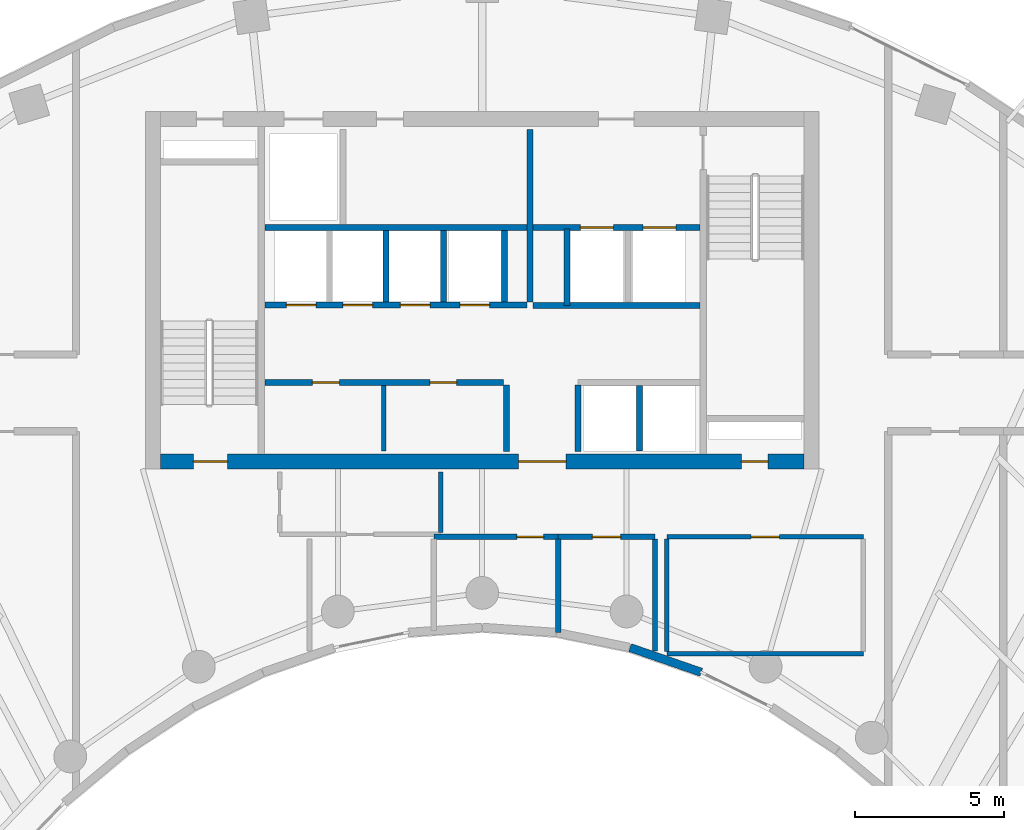
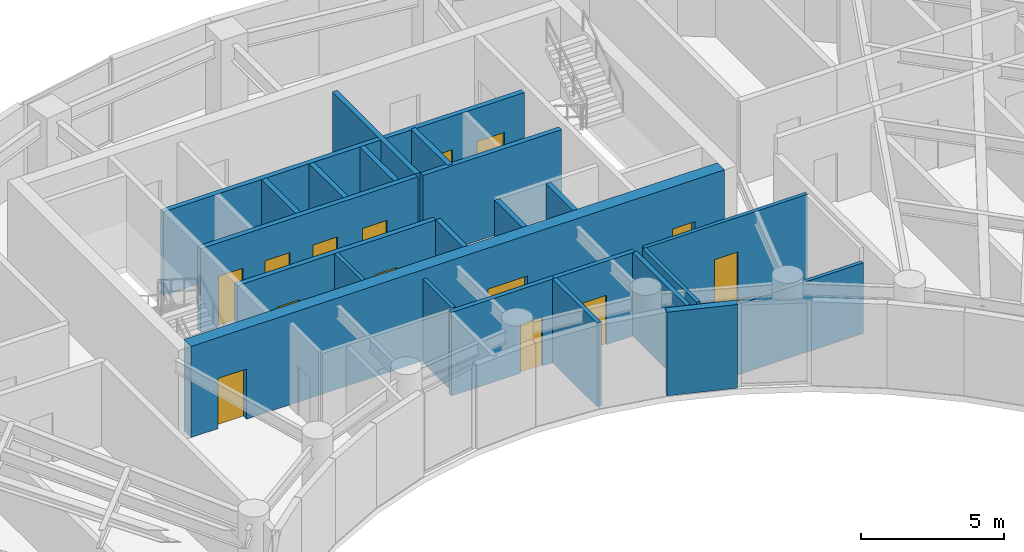
# One storey, part 9 of 13: 24 walls, 14 doors, 14 openings.
"""IFC4 building model written with IfcOpenShell, lengths in metres."""

from ifc_helpers import new_model, si_unit, direction, frame, frame_2d, origin, place, context, subcontext, project, spatial, rectangle, extrude, source, transform, mapped, material, layer, layer_set, type_object, type_shapes, element, fill, save


model = new_model("IFC4")

# Units and contexts
model_context = context("Model", 3, precision=1e-05, world=origin(), true_north=direction((0.0, 1.0)))
body_context = subcontext(model_context, "Body", "Model", "MODEL_VIEW")
ifc_project = project(units=[si_unit("LENGTHUNIT", "METRE"), si_unit("AREAUNIT", "SQUARE_METRE"), si_unit("VOLUMEUNIT", "CUBIC_METRE"), si_unit("PLANEANGLEUNIT", "RADIAN"), si_unit("MASSUNIT", "GRAM", prefix="KILO")], contexts=[model_context])

# Site, building, storey
site_placement = place(None, origin())
site = spatial("IfcSite", under=ifc_project, at=site_placement, CompositionType="ELEMENT")
building_placement = place(site_placement, origin())
building = spatial("IfcBuilding", under=site, at=building_placement, Name="Breltana Convention Tower", CompositionType="ELEMENT")
storey_placement = place(building_placement, frame((0.0, 0.0, 185.699951171875)))
storey = spatial("IfcBuildingStorey", under=building, at=storey_placement, Name="L45", CompositionType="ELEMENT", Elevation=185.699951171875)

# Wall, openings, doors
ifc_material_1 = material(Name="Concrete C60/75", Category="concrete")
ifc_layer_1 = layer(ifc_material_1, 0.5, Name="Concrete C60/75")
ifc_layer_set_1 = layer_set([ifc_layer_1], Name="Concrete C60/75")
wall_type_1 = type_object("IfcWallType", Name="SW-CORE-500", PredefinedType="SHEAR", material=ifc_layer_set_1)
shared_shape_1 = source(origin(), body_context, "Body", "SweptSolid", [
    extrude(rectangle(XDim=21.60009765625, YDim=0.5, at=frame_2d((10.800048828125, 0.0))), origin(), (0.0, 0.0, 1.0), 3.900146484375),
])
wall_1_placement = place(storey_placement, frame((37.199951171875, 60.449951171875, 0.0), z_axis=(0.0, 0.0, 1.0), x_axis=(1.0, 0.0, 0.0)))
wall_1 = element("IfcWall", 1, at=wall_1_placement, inside=storey, type_object=wall_type_1, Name="L45 South Core Shear Wall", PredefinedType="SHEAR", context=body_context, shape_type="MappedRepresentation", body=[
    mapped(shared_shape_1, transform((0.0, 0.0, 0.0), scale=1.0)),
])
opening_1_placement = place(wall_1_placement, frame((1.10009765625, 0.0, 0.0)))
opening_1 = element("IfcOpeningElement", 2, at=opening_1_placement, cuts=wall_1, Name="Opening D-11", PredefinedType="OPENING", context=body_context, shape_type="SweptSolid", body=[
    extrude(rectangle(XDim=1.14990234375, YDim=2.14990234375, at=frame_2d((0.574951171875, 1.074951171875))), frame((0.0, 0.260009765625, 0.0), z_axis=(0.0, -1.0, 0.0), x_axis=(1.0, 0.0, 0.0)), (0.0, 0.0, 1.0), 0.52001953125),
])
opening_2_placement = place(wall_1_placement, frame((19.5, 0.0, 0.0)))
opening_2 = element("IfcOpeningElement", 3, at=opening_2_placement, cuts=wall_1, Name="Opening D-18", PredefinedType="OPENING", context=body_context, shape_type="SweptSolid", body=[
    extrude(rectangle(XDim=0.89990234375, YDim=2.10009765625, at=frame_2d((0.449951171875, 1.050048828125))), frame((0.0, 0.260009765625, 0.0), z_axis=(0.0, -1.0, 0.0), x_axis=(1.0, 0.0, 0.0)), (0.0, 0.0, 1.0), 0.52001953125),
])
opening_3_placement = place(wall_1_placement, frame((12.02001953125, 0.0, 0.0)))
opening_3 = element("IfcOpeningElement", 4, at=opening_3_placement, cuts=wall_1, Name="Opening D-02", PredefinedType="OPENING", context=body_context, shape_type="SweptSolid", body=[
    extrude(rectangle(XDim=1.60009765625, YDim=2.14990234375, at=frame_2d((0.800048828125, 1.074951171875))), frame((0.0, 0.260009765625, 0.0), z_axis=(0.0, -1.0, 0.0), x_axis=(1.0, 0.0, 0.0)), (0.0, 0.0, 1.0), 0.52001953125),
])
ifc_material_2 = material(Name="Steel Stair Exit Door", Category="steel")
door_type_1 = type_object("IfcDoorType", Name="DR-FD120-1150", OperationType="NOTDEFINED", PredefinedType="DOOR", material=ifc_material_2)
shared_shape_2 = source(origin(), body_context, "Body", "SweptSolid", [
    extrude(rectangle(XDim=1.14990234375, YDim=2.14990234375, at=frame_2d((0.574951171875, 1.074951171875))), frame((0.0, 0.02490234375, 0.0), z_axis=(0.0, -1.0, 0.0), x_axis=(1.0, 0.0, 0.0)), (0.0, 0.0, 1.0), 0.050048828125),
])
type_shapes(door_type_1, [shared_shape_2])
door_1_placement = place(opening_1_placement, origin())
door_1 = element("IfcDoor", 5, at=door_1_placement, inside=storey, type_object=door_type_1, Name="L45 interior door D-L45-ST1", OperationType="SINGLE_SWING_LEFT", OverallHeight=2.14990234375, OverallWidth=1.14990234375, PredefinedType="DOOR", context=body_context, shape_type="MappedRepresentation", body=[
    mapped(shared_shape_2, transform((0.0, 0.0, 0.0), scale=1.0)),
])
fill(opening_1, door_1)
ifc_material_3 = material(Name="Steel Riser Fire Door", Category="steel")
door_type_2 = type_object("IfcDoorType", Name="DR-FD60-900", OperationType="NOTDEFINED", PredefinedType="DOOR", material=ifc_material_3)
shared_shape_3 = source(origin(), body_context, "Body", "SweptSolid", [
    extrude(rectangle(XDim=0.89990234375, YDim=2.10009765625, at=frame_2d((0.449951171875, 1.050048828125))), frame((0.0, 0.02490234375, 0.0), z_axis=(0.0, -1.0, 0.0), x_axis=(1.0, 0.0, 0.0)), (0.0, 0.0, 1.0), 0.050048828125),
])
type_shapes(door_type_2, [shared_shape_3])
door_2_placement = place(opening_2_placement, origin())
door_2 = element("IfcDoor", 6, at=door_2_placement, inside=storey, type_object=door_type_2, Name="L45 Core Riser Access Door D-L45-RS2", OperationType="SINGLE_SWING_RIGHT", OverallHeight=2.10009765625, OverallWidth=0.89990234375, PredefinedType="DOOR", context=body_context, shape_type="MappedRepresentation", body=[
    mapped(shared_shape_3, transform((0.0, 0.0, 0.0), scale=1.0)),
])
fill(opening_2, door_2)
ifc_material_4 = material(Name="Steel Glazed Smoke-Control Door", Category="steel")
door_type_3 = type_object("IfcDoorType", Name="DR-DBL-FD90-1600", OperationType="DOUBLE_DOOR_SINGLE_SWING", PredefinedType="DOOR", material=ifc_material_4)
shared_shape_4 = source(origin(), body_context, "Body", "SweptSolid", [
    extrude(rectangle(XDim=1.60009765625, YDim=2.14990234375, at=frame_2d((0.800048828125, 1.074951171875))), frame((0.0, 0.02490234375, 0.0), z_axis=(0.0, -1.0, 0.0), x_axis=(1.0, 0.0, 0.0)), (0.0, 0.0, 1.0), 0.050048828125),
])
type_shapes(door_type_3, [shared_shape_4])
door_3_placement = place(opening_3_placement, origin())
door_3 = element("IfcDoor", 7, at=door_3_placement, inside=storey, type_object=door_type_3, Name="L45 interior door D-L45-LLB-S", OperationType="DOUBLE_DOOR_SINGLE_SWING", OverallHeight=2.14990234375, OverallWidth=1.60009765625, PredefinedType="DOOR", context=body_context, shape_type="MappedRepresentation", body=[
    mapped(shared_shape_4, transform((0.0, 0.0, 0.0), scale=1.0)),
])
fill(opening_3, door_3)

# Walls
ifc_material_5 = material(Name="Limestone Buff Insulated Wall", Category="masonry")
ifc_layer_2 = layer(ifc_material_5, 0.280029296875, Name="Limestone Buff Insulated Wall")
ifc_layer_set_2 = layer_set([ifc_layer_2], Name="Limestone Buff Insulated Wall")
wall_type_2 = type_object("IfcWallType", Name="WL-EXT-NOSE-280", PredefinedType="SOLIDWALL", material=ifc_layer_set_2)
shared_shape_5 = source(origin(), body_context, "Body", "SweptSolid", [
    extrude(rectangle(XDim=2.52978515625, YDim=0.280029296875, at=frame_2d((1.264892578125, 0.0))), origin(), (0.0, 0.0, 1.0), 3.580078125),
])
wall_2_placement = place(storey_placement, frame((55.35546875, 53.369873046875, 0.0), z_axis=(0.0, 0.0, 1.0), x_axis=(-0.944872429646, 0.327438683872, 0.0)))
element("IfcWall", 8, at=wall_2_placement, inside=storey, type_object=wall_type_2, Name="L45 curved limestone nose wall E10", PredefinedType="SOLIDWALL", context=body_context, shape_type="MappedRepresentation", body=[
    mapped(shared_shape_5, transform((0.0, 0.0, 0.0), scale=1.0)),
])
ifc_material_6 = material(Name="Autoclaved Aerated Concrete Block", Category="concrete")
ifc_layer_3 = layer(ifc_material_6, 0.199951171875, Name="Autoclaved Aerated Concrete Block")
ifc_layer_set_3 = layer_set([ifc_layer_3], Name="Autoclaved Aerated Concrete Block")
wall_type_3 = type_object("IfcWallType", Name="WL-SHAFT-200", PredefinedType="SOLIDWALL", material=ifc_layer_set_3)
shared_shape_6 = source(origin(), body_context, "Body", "SweptSolid", [
    extrude(rectangle(XDim=2.239990234375, YDim=0.199951171875, at=frame_2d((1.1201171875, 0.0))), origin(), (0.0, 0.0, 1.0), 3.580078125),
])
for number, where, z_axis, x_axis, name in (
    (9, (48.820068359375, 60.780029296875, 0.0), (0.0, 0.0, 1.0), (0.0, 1.0, 0.0), "L45 interior partition W-L45-PORT-W"),
    (10, (51.219970703125, 60.780029296875, 0.0), (0.0, 0.0, 1.0), (0.0, 1.0, 0.0), "L45 interior partition W-L45-PORT-E"),
):
    element("IfcWall", number, at=place(storey_placement, frame(where, z_axis=z_axis, x_axis=x_axis)), inside=storey, type_object=wall_type_3, Name=name, PredefinedType="SOLIDWALL", context=body_context, shape_type="MappedRepresentation", body=[
        mapped(shared_shape_6, transform((0.0, 0.0, 0.0), scale=1.0)),
    ])

# Wall, openings, doors
shared_shape_7 = source(origin(), body_context, "Body", "SweptSolid", [
    extrude(rectangle(XDim=5.6201171875, YDim=0.199951171875, at=frame_2d((2.81005859375, 0.0))), origin(), (0.0, 0.0, 1.0), 3.580078125),
])
wall_3_placement = place(storey_placement, frame((49.699951171875, 68.300048828125, 0.0), z_axis=(0.0, 0.0, 1.0), x_axis=(1.0, 0.0, 0.0)))
wall_3 = element("IfcWall", 11, at=wall_3_placement, inside=storey, type_object=wall_type_3, Name="L45 interior partition W-L45-FFL-S", PredefinedType="SOLIDWALL", context=body_context, shape_type="MappedRepresentation", body=[
    mapped(shared_shape_7, transform((0.0, 0.0, 0.0), scale=1.0)),
])
opening_4_placement = place(wall_3_placement, frame((1.60009765625, 0.0, 0.0)))
opening_4 = element("IfcOpeningElement", 12, at=opening_4_placement, cuts=wall_3, Name="Opening LD-03", PredefinedType="OPENING", context=body_context, shape_type="SweptSolid", body=[
    extrude(rectangle(XDim=1.10009765625, YDim=2.14990234375, at=frame_2d((0.550048828125, 1.074951171875))), frame((0.0, 0.10986328125, 0.0), z_axis=(0.0, -1.0, 0.0), x_axis=(1.0, 0.0, 0.0)), (0.0, 0.0, 1.0), 0.219970703125),
])
opening_5_placement = place(wall_3_placement, frame((3.699951171875, 0.0, 0.0)))
opening_5 = element("IfcOpeningElement", 13, at=opening_5_placement, cuts=wall_3, Name="Opening LD-03", PredefinedType="OPENING", context=body_context, shape_type="SweptSolid", body=[
    extrude(rectangle(XDim=1.10009765625, YDim=2.14990234375, at=frame_2d((0.550048828125, 1.074951171875))), frame((0.0, 0.10986328125, 0.0), z_axis=(0.0, -1.0, 0.0), x_axis=(1.0, 0.0, 0.0)), (0.0, 0.0, 1.0), 0.219970703125),
])
ifc_material_7 = material(Name="Stainless Steel Brushed", Category="steel")
door_type_4 = type_object("IfcDoorType", Name="DR-LD-FF-1100", OperationType="DOUBLE_DOOR_SLIDING", PredefinedType="DOOR", material=ifc_material_7)
shared_shape_8 = source(origin(), body_context, "Body", "SweptSolid", [
    extrude(rectangle(XDim=1.10009765625, YDim=2.14990234375, at=frame_2d((0.550048828125, 1.074951171875))), frame((0.0, 0.02490234375, 0.0), z_axis=(0.0, -1.0, 0.0), x_axis=(1.0, 0.0, 0.0)), (0.0, 0.0, 1.0), 0.050048828125),
])
type_shapes(door_type_4, [shared_shape_8])
door_4_placement = place(opening_4_placement, origin())
door_4 = element("IfcDoor", 14, at=door_4_placement, inside=storey, type_object=door_type_4, Name="L45 Lift Landing Door D-L45-LD-FL1", OperationType="DOUBLE_DOOR_SLIDING", OverallHeight=2.14990234375, OverallWidth=1.10009765625, PredefinedType="DOOR", context=body_context, shape_type="MappedRepresentation", body=[
    mapped(shared_shape_8, transform((0.0, 0.0, 0.0), scale=1.0)),
])
fill(opening_4, door_4)
door_5_placement = place(opening_5_placement, origin())
door_5 = element("IfcDoor", 15, at=door_5_placement, inside=storey, type_object=door_type_4, Name="L45 Lift Landing Door D-L45-LD-FL2", OperationType="DOUBLE_DOOR_SLIDING", OverallHeight=2.14990234375, OverallWidth=1.10009765625, PredefinedType="DOOR", context=body_context, shape_type="MappedRepresentation", body=[
    mapped(shared_shape_8, transform((0.0, 0.0, 0.0), scale=1.0)),
])
fill(opening_5, door_5)

# Walls
wall_4_placement = place(storey_placement, frame((49.699951171875, 65.679931640625, 0.0), z_axis=(0.0, 0.0, 1.0), x_axis=(1.0, 0.0, 0.0)))
element("IfcWall", 16, at=wall_4_placement, inside=storey, type_object=wall_type_3, Name="L45 interior partition W-L45-FL-S", PredefinedType="SOLIDWALL", context=body_context, shape_type="MappedRepresentation", body=[
    mapped(shared_shape_7, transform((0.0, 0.0, 0.0), scale=1.0)),
])
shared_shape_9 = source(origin(), body_context, "Body", "SweptSolid", [
    extrude(rectangle(XDim=5.800048828125, YDim=0.199951171875, at=frame_2d((2.89990234375, 0.0))), origin(), (0.0, 0.0, 1.0), 3.580078125),
])
wall_5_placement = place(storey_placement, frame((49.60009765625, 65.800048828125, 0.0), z_axis=(0.0, 0.0, 1.0), x_axis=(0.0, 1.0, 0.0)))
element("IfcWall", 17, at=wall_5_placement, inside=storey, type_object=wall_type_3, Name="L45 interior partition W-L45-FFL-W", PredefinedType="SOLIDWALL", context=body_context, shape_type="MappedRepresentation", body=[
    mapped(shared_shape_9, transform((0.0, 0.0, 0.0), scale=1.0)),
])
shared_shape_10 = source(origin(), body_context, "Body", "SweptSolid", [
    extrude(rectangle(XDim=2.580078125, YDim=0.199951171875, at=frame_2d((1.2900390625, 0.0))), origin(), (0.0, 0.0, 1.0), 3.580078125),
])
wall_6_placement = place(storey_placement, frame((50.85009765625, 65.679931640625, 0.0), z_axis=(0.0, 0.0, 1.0), x_axis=(0.0, 1.0, 0.0)))
element("IfcWall", 18, at=wall_6_placement, inside=storey, type_object=wall_type_3, Name="L45 interior partition W-L45-FL-W", PredefinedType="SOLIDWALL", context=body_context, shape_type="MappedRepresentation", body=[
    mapped(shared_shape_10, transform((0.0, 0.0, 0.0), scale=1.0)),
])
shared_shape_11 = source(origin(), body_context, "Body", "SweptSolid", [
    extrude(rectangle(XDim=2.39990234375, YDim=0.199951171875, at=frame_2d((1.199951171875, 0.0))), origin(), (0.0, 0.0, 1.0), 3.580078125),
])
for number, where, z_axis, x_axis, name in (
    (19, (48.75, 65.800048828125, 0.0), (0.0, 0.0, 1.0), (0.0, 1.0, 0.0), "L45 interior partition W-L45-SH-M-END"),
    (20, (44.77001953125, 65.800048828125, 0.0), (0.0, 0.0, 1.0), (0.0, 1.0, 0.0), "L45 interior partition W-L45-SH-M-DIV2"),
    (21, (46.699951171875, 65.800048828125, 0.0), (0.0, 0.0, 1.0), (0.0, 1.0, 0.0), "L45 interior partition W-L45-SH-M-DIV3"),
):
    element("IfcWall", number, at=place(storey_placement, frame(where, z_axis=z_axis, x_axis=x_axis)), inside=storey, type_object=wall_type_3, Name=name, PredefinedType="SOLIDWALL", context=body_context, shape_type="MappedRepresentation", body=[
        mapped(shared_shape_11, transform((0.0, 0.0, 0.0), scale=1.0)),
    ])
shared_shape_12 = source(origin(), body_context, "Body", "SweptSolid", [
    extrude(rectangle(XDim=8.800048828125, YDim=0.199951171875, at=frame_2d((4.39990234375, 0.0))), origin(), (0.0, 0.0, 1.0), 3.580078125),
])
wall_7_placement = place(storey_placement, frame((40.699951171875, 68.300048828125, 0.0), z_axis=(0.0, 0.0, 1.0), x_axis=(1.0, 0.0, 0.0)))
element("IfcWall", 22, at=wall_7_placement, inside=storey, type_object=wall_type_3, Name="L45 interior partition W-L45-SV-S", PredefinedType="SOLIDWALL", context=body_context, shape_type="MappedRepresentation", body=[
    mapped(shared_shape_12, transform((0.0, 0.0, 0.0), scale=1.0)),
])

# Wall, openings, doors
wall_8_placement = place(storey_placement, frame((40.699951171875, 65.699951171875, 0.0), z_axis=(0.0, 0.0, 1.0), x_axis=(1.0, 0.0, 0.0)))
wall_8 = element("IfcWall", 23, at=wall_8_placement, inside=storey, type_object=wall_type_3, Name="L45 interior partition W-L45-SH-M-FRONT", PredefinedType="SOLIDWALL", context=body_context, shape_type="MappedRepresentation", body=[
    mapped(shared_shape_12, transform((0.0, 0.0, 0.0), scale=1.0)),
])
opening_6_placement = place(wall_8_placement, frame((0.719970703125, 0.0, 0.0)))
opening_6 = element("IfcOpeningElement", 24, at=opening_6_placement, cuts=wall_8, Name="Opening LD-04", PredefinedType="OPENING", context=body_context, shape_type="SweptSolid", body=[
    extrude(rectangle(XDim=1.0, YDim=2.14990234375, at=frame_2d((0.5, 1.074951171875))), frame((0.0, 0.10986328125, 0.0), z_axis=(0.0, -1.0, 0.0), x_axis=(1.0, 0.0, 0.0)), (0.0, 0.0, 1.0), 0.219970703125),
])
opening_7_placement = place(wall_8_placement, frame((2.6201171875, 0.0, 0.0)))
opening_7 = element("IfcOpeningElement", 25, at=opening_7_placement, cuts=wall_8, Name="Opening LD-04", PredefinedType="OPENING", context=body_context, shape_type="SweptSolid", body=[
    extrude(rectangle(XDim=1.0, YDim=2.14990234375, at=frame_2d((0.5, 1.074951171875))), frame((0.0, 0.10986328125, 0.0), z_axis=(0.0, -1.0, 0.0), x_axis=(1.0, 0.0, 0.0)), (0.0, 0.0, 1.0), 0.219970703125),
])
opening_8_placement = place(wall_8_placement, frame((4.550048828125, 0.0, 0.0)))
opening_8 = element("IfcOpeningElement", 26, at=opening_8_placement, cuts=wall_8, Name="Opening LD-04", PredefinedType="OPENING", context=body_context, shape_type="SweptSolid", body=[
    extrude(rectangle(XDim=1.0, YDim=2.14990234375, at=frame_2d((0.5, 1.074951171875))), frame((0.0, 0.10986328125, 0.0), z_axis=(0.0, -1.0, 0.0), x_axis=(1.0, 0.0, 0.0)), (0.0, 0.0, 1.0), 0.219970703125),
])
opening_9_placement = place(wall_8_placement, frame((6.550048828125, 0.0, 0.0)))
opening_9 = element("IfcOpeningElement", 27, at=opening_9_placement, cuts=wall_8, Name="Opening LD-04", PredefinedType="OPENING", context=body_context, shape_type="SweptSolid", body=[
    extrude(rectangle(XDim=1.0, YDim=2.14990234375, at=frame_2d((0.5, 1.074951171875))), frame((0.0, 0.10986328125, 0.0), z_axis=(0.0, -1.0, 0.0), x_axis=(1.0, 0.0, 0.0)), (0.0, 0.0, 1.0), 0.219970703125),
])
door_type_5 = type_object("IfcDoorType", Name="DR-LD-PAX-1000", OperationType="DOUBLE_DOOR_SLIDING", PredefinedType="DOOR", material=ifc_material_7)
shared_shape_13 = source(origin(), body_context, "Body", "SweptSolid", [
    extrude(rectangle(XDim=1.0, YDim=2.14990234375, at=frame_2d((0.5, 1.074951171875))), frame((0.0, 0.02490234375, 0.0), z_axis=(0.0, -1.0, 0.0), x_axis=(1.0, 0.0, 0.0)), (0.0, 0.0, 1.0), 0.050048828125),
])
type_shapes(door_type_5, [shared_shape_13])
door_6_placement = place(opening_6_placement, origin())
door_6 = element("IfcDoor", 28, at=door_6_placement, inside=storey, type_object=door_type_5, Name="L45 Lift Landing Door D-L45-LD-M1", OperationType="DOUBLE_DOOR_SLIDING", OverallHeight=2.14990234375, OverallWidth=1.0, PredefinedType="DOOR", context=body_context, shape_type="MappedRepresentation", body=[
    mapped(shared_shape_13, transform((0.0, 0.0, 0.0), scale=1.0)),
])
fill(opening_6, door_6)
door_7_placement = place(opening_7_placement, origin())
door_7 = element("IfcDoor", 29, at=door_7_placement, inside=storey, type_object=door_type_5, Name="L45 Lift Landing Door D-L45-LD-M2", OperationType="DOUBLE_DOOR_SLIDING", OverallHeight=2.14990234375, OverallWidth=1.0, PredefinedType="DOOR", context=body_context, shape_type="MappedRepresentation", body=[
    mapped(shared_shape_13, transform((0.0, 0.0, 0.0), scale=1.0)),
])
fill(opening_7, door_7)
door_8_placement = place(opening_8_placement, origin())
door_8 = element("IfcDoor", 30, at=door_8_placement, inside=storey, type_object=door_type_5, Name="L45 Lift Landing Door D-L45-LD-M3", OperationType="DOUBLE_DOOR_SLIDING", OverallHeight=2.14990234375, OverallWidth=1.0, PredefinedType="DOOR", context=body_context, shape_type="MappedRepresentation", body=[
    mapped(shared_shape_13, transform((0.0, 0.0, 0.0), scale=1.0)),
])
fill(opening_8, door_8)
door_9_placement = place(opening_9_placement, origin())
door_9 = element("IfcDoor", 31, at=door_9_placement, inside=storey, type_object=door_type_5, Name="L45 Lift Landing Door D-L45-LD-M4", OperationType="DOUBLE_DOOR_SLIDING", OverallHeight=2.14990234375, OverallWidth=1.0, PredefinedType="DOOR", context=body_context, shape_type="MappedRepresentation", body=[
    mapped(shared_shape_13, transform((0.0, 0.0, 0.0), scale=1.0)),
])
fill(opening_9, door_9)

shared_shape_14 = source(origin(), body_context, "Body", "SweptSolid", [
    extrude(rectangle(XDim=8.02001953125, YDim=0.199951171875, at=frame_2d((4.010009765625, 0.0))), origin(), (0.0, 0.0, 1.0), 3.580078125),
])
wall_9_placement = place(storey_placement, frame((40.699951171875, 63.10009765625, 0.0), z_axis=(0.0, 0.0, 1.0), x_axis=(1.0, 0.0, 0.0)))
wall_9 = element("IfcWall", 32, at=wall_9_placement, inside=storey, type_object=wall_type_3, Name="L45 interior partition W-L45-SH-S-FRONT", PredefinedType="SOLIDWALL", context=body_context, shape_type="MappedRepresentation", body=[
    mapped(shared_shape_14, transform((0.0, 0.0, 0.0), scale=1.0)),
])
opening_10_placement = place(wall_9_placement, frame((1.60009765625, 0.0, 0.0)))
opening_10 = element("IfcOpeningElement", 33, at=opening_10_placement, cuts=wall_9, Name="Opening D-18", PredefinedType="OPENING", context=body_context, shape_type="SweptSolid", body=[
    extrude(rectangle(XDim=0.89990234375, YDim=2.10009765625, at=frame_2d((0.449951171875, 1.050048828125))), frame((0.0, 0.10986328125, 0.0), z_axis=(0.0, -1.0, 0.0), x_axis=(1.0, 0.0, 0.0)), (0.0, 0.0, 1.0), 0.219970703125),
])
opening_11_placement = place(wall_9_placement, frame((5.5400390625, 0.0, 0.0)))
opening_11 = element("IfcOpeningElement", 34, at=opening_11_placement, cuts=wall_9, Name="Opening D-18", PredefinedType="OPENING", context=body_context, shape_type="SweptSolid", body=[
    extrude(rectangle(XDim=0.89990234375, YDim=2.10009765625, at=frame_2d((0.449951171875, 1.050048828125))), frame((0.0, 0.10986328125, 0.0), z_axis=(0.0, -1.0, 0.0), x_axis=(1.0, 0.0, 0.0)), (0.0, 0.0, 1.0), 0.219970703125),
])
door_10_placement = place(opening_10_placement, origin())
door_10 = element("IfcDoor", 35, at=door_10_placement, inside=storey, type_object=door_type_2, Name="L45 interior door D-L45-LV7-B1A", OperationType="SINGLE_SWING_RIGHT", OverallHeight=2.10009765625, OverallWidth=0.89990234375, PredefinedType="DOOR", context=body_context, shape_type="MappedRepresentation", body=[
    mapped(shared_shape_3, transform((0.0, 0.0, 0.0), scale=1.0)),
])
fill(opening_10, door_10)
door_11_placement = place(opening_11_placement, origin())
door_11 = element("IfcDoor", 36, at=door_11_placement, inside=storey, type_object=door_type_2, Name="L45 interior door D-L45-LV7-B1B", OperationType="SINGLE_SWING_LEFT", OverallHeight=2.10009765625, OverallWidth=0.89990234375, PredefinedType="DOOR", context=body_context, shape_type="MappedRepresentation", body=[
    mapped(shared_shape_3, transform((0.0, 0.0, 0.0), scale=1.0)),
])
fill(opening_11, door_11)

# Walls
ifc_material_8 = material(Name="Gypsum Acoustic Drywall Partition")
ifc_layer_4 = layer(ifc_material_8, 0.14990234375, Name="Gypsum Acoustic Drywall Partition")
ifc_layer_set_4 = layer_set([ifc_layer_4], Name="Gypsum Acoustic Drywall Partition")
wall_type_4 = type_object("IfcWallType", Name="WL-PART-150", PredefinedType="PARTITIONING", material=ifc_layer_set_4)
shared_shape_15 = source(origin(), body_context, "Body", "SweptSolid", [
    extrude(rectangle(XDim=2.199951171875, YDim=0.14990234375, at=frame_2d((1.10009765625, 0.0))), origin(), (0.0, 0.0, 1.0), 3.580078125),
])
wall_10_placement = place(storey_placement, frame((44.699951171875, 60.800048828125, 0.0), z_axis=(0.0, 0.0, 1.0), x_axis=(0.0, 1.0, 0.0)))
element("IfcWall", 37, at=wall_10_placement, inside=storey, type_object=wall_type_4, Name="L45 interior partition W-L45-LV7-B1-DIV", PredefinedType="PARTITIONING", context=body_context, shape_type="MappedRepresentation", body=[
    mapped(shared_shape_15, transform((0.0, 0.0, 0.0), scale=1.0)),
])
shared_shape_16 = source(origin(), body_context, "Body", "SweptSolid", [
    extrude(rectangle(XDim=2.199951171875, YDim=0.199951171875, at=frame_2d((1.10009765625, 0.0))), origin(), (0.0, 0.0, 1.0), 3.580078125),
])
wall_11_placement = place(storey_placement, frame((53.280029296875, 60.800048828125, 0.0), z_axis=(0.0, 0.0, 1.0), x_axis=(0.0, 1.0, 0.0)))
element("IfcWall", 38, at=wall_11_placement, inside=storey, type_object=wall_type_3, Name="L45 interior partition W-L45-SH-X-DIV", PredefinedType="SOLIDWALL", context=body_context, shape_type="MappedRepresentation", body=[
    mapped(shared_shape_16, transform((0.0, 0.0, 0.0), scale=1.0)),
])
shared_shape_17 = source(origin(), body_context, "Body", "SweptSolid", [
    extrude(rectangle(XDim=2.03271484375, YDim=0.14990234375, at=frame_2d((1.016357421875, 0.0))), origin(), (0.0, 0.0, 1.0), 3.580078125),
])
wall_12_placement = place(storey_placement, frame((46.60009765625, 58.0673828125, 0.0), z_axis=(0.0, 0.0, 1.0), x_axis=(0.0, 1.0, 0.0)))
element("IfcWall", 39, at=wall_12_placement, inside=storey, type_object=wall_type_4, Name="L45 interior partition W-L45-CRSC-E", PredefinedType="PARTITIONING", context=body_context, shape_type="MappedRepresentation", body=[
    mapped(shared_shape_17, transform((0.0, 0.0, 0.0), scale=1.0)),
])
ifc_material_9 = material(Name="Cement Board Wet-Area Partition")
ifc_layer_5 = layer(ifc_material_9, 0.175048828125, Name="Cement Board Wet-Area Partition")
ifc_layer_set_5 = layer_set([ifc_layer_5], Name="Cement Board Wet-Area Partition")
wall_type_5 = type_object("IfcWallType", Name="WL-WET-175", PredefinedType="PARTITIONING", material=ifc_layer_set_5)
shared_shape_18 = source(origin(), body_context, "Body", "SweptSolid", [
    extrude(rectangle(XDim=3.7626953125, YDim=0.175048828125, at=frame_2d((1.88134765625, 0.0))), origin(), (0.0, 0.0, 1.0), 3.580078125),
])
wall_13_placement = place(storey_placement, frame((53.800048828125, 54.07861328125, 0.0), z_axis=(0.0, 0.0, 1.0), x_axis=(0.0, 1.0, 0.0)))
element("IfcWall", 40, at=wall_13_placement, inside=storey, type_object=wall_type_5, Name="L45 interior partition W-L45-WCA-E", PredefinedType="PARTITIONING", context=body_context, shape_type="MappedRepresentation", body=[
    mapped(shared_shape_18, transform((0.0, 0.0, 0.0), scale=1.0)),
])

# Wall, opening, door
ifc_material_10 = material(Name="Moisture-Resistant Gypsum Chase Wall")
ifc_layer_6 = layer(ifc_material_10, 0.179931640625, Name="Moisture-Resistant Gypsum Chase Wall")
ifc_layer_set_6 = layer_set([ifc_layer_6], Name="Moisture-Resistant Gypsum Chase Wall")
wall_type_6 = type_object("IfcWallType", Name="WL-PLUMB-180", PredefinedType="PLUMBINGWALL", material=ifc_layer_set_6)
shared_shape_19 = source(origin(), body_context, "Body", "SweptSolid", [
    extrude(rectangle(XDim=4.176025390625, YDim=0.179931640625, at=frame_2d((2.087890625, 0.0))), origin(), (0.0, 0.0, 1.0), 3.580078125),
])
wall_14_placement = place(storey_placement, frame((46.3759765625, 57.919921875, 0.0), z_axis=(0.0, 0.0, 1.0), x_axis=(1.0, 0.0, 0.0)))
wall_14 = element("IfcWall", 41, at=wall_14_placement, inside=storey, type_object=wall_type_6, Name="L45 interior partition W-L45-WCF-N", PredefinedType="PLUMBINGWALL", context=body_context, shape_type="MappedRepresentation", body=[
    mapped(shared_shape_19, transform((0.0, 0.0, 0.0), scale=1.0)),
])
opening_12_placement = place(wall_14_placement, frame((2.7880859375, 0.0, 0.0)))
opening_12 = element("IfcOpeningElement", 42, at=opening_12_placement, cuts=wall_14, Name="Opening D-19", PredefinedType="OPENING", context=body_context, shape_type="SweptSolid", body=[
    extrude(rectangle(XDim=0.89990234375, YDim=2.080078125, at=frame_2d((0.449951171875, 1.0400390625))), frame((0.0, 0.10009765625, 0.0), z_axis=(0.0, -1.0, 0.0), x_axis=(1.0, 0.0, 0.0)), (0.0, 0.0, 1.0), 0.199951171875),
])
ifc_material_11 = material(Name="Timber Moisture-Resistant Door", Category="wood")
door_type_6 = type_object("IfcDoorType", Name="DR-WC-900", OperationType="NOTDEFINED", PredefinedType="DOOR", material=ifc_material_11)
shared_shape_20 = source(origin(), body_context, "Body", "SweptSolid", [
    extrude(rectangle(XDim=0.89990234375, YDim=2.080078125, at=frame_2d((0.449951171875, 1.0400390625))), frame((0.0, 0.02490234375, 0.0), z_axis=(0.0, -1.0, 0.0), x_axis=(1.0, 0.0, 0.0)), (0.0, 0.0, 1.0), 0.050048828125),
])
type_shapes(door_type_6, [shared_shape_20])
door_12_placement = place(opening_12_placement, origin())
door_12 = element("IfcDoor", 43, at=door_12_placement, inside=storey, type_object=door_type_6, Name="L45 interior door D-L45-WCF", OperationType="SINGLE_SWING_RIGHT", OverallHeight=2.080078125, OverallWidth=0.89990234375, PredefinedType="DOOR", context=body_context, shape_type="MappedRepresentation", body=[
    mapped(shared_shape_20, transform((0.0, 0.0, 0.0), scale=1.0)),
])
fill(opening_12, door_12)

# Wall
shared_shape_21 = source(origin(), body_context, "Body", "SweptSolid", [
    extrude(rectangle(XDim=3.136474609375, YDim=0.175048828125, at=frame_2d((1.568359375, 0.0))), origin(), (0.0, 0.0, 1.0), 3.580078125),
])
wall_15_placement = place(storey_placement, frame((50.552001953125, 54.704833984375, 0.0), z_axis=(0.0, 0.0, 1.0), x_axis=(0.0, 1.0, 0.0)))
element("IfcWall", 44, at=wall_15_placement, inside=storey, type_object=wall_type_5, Name="L45 interior partition W-L45-WCF-E", PredefinedType="PARTITIONING", context=body_context, shape_type="MappedRepresentation", body=[
    mapped(shared_shape_21, transform((0.0, 0.0, 0.0), scale=1.0)),
])

# Wall, opening, door
shared_shape_22 = source(origin(), body_context, "Body", "SweptSolid", [
    extrude(rectangle(XDim=3.248046875, YDim=0.179931640625, at=frame_2d((1.6240234375, 0.0))), origin(), (0.0, 0.0, 1.0), 3.580078125),
])
wall_16_placement = place(storey_placement, frame((50.552001953125, 57.919921875, 0.0), z_axis=(0.0, 0.0, 1.0), x_axis=(1.0, 0.0, 0.0)))
wall_16 = element("IfcWall", 45, at=wall_16_placement, inside=storey, type_object=wall_type_6, Name="L45 interior partition W-L45-WCA-N", PredefinedType="PLUMBINGWALL", context=body_context, shape_type="MappedRepresentation", body=[
    mapped(shared_shape_22, transform((0.0, 0.0, 0.0), scale=1.0)),
])
opening_13_placement = place(wall_16_placement, frame((1.14892578125, 0.0, 0.0)))
opening_13 = element("IfcOpeningElement", 46, at=opening_13_placement, cuts=wall_16, Name="Opening D-16", PredefinedType="OPENING", context=body_context, shape_type="SweptSolid", body=[
    extrude(rectangle(XDim=0.949951171875, YDim=2.1201171875, at=frame_2d((0.47509765625, 1.06005859375))), frame((0.0, 0.10009765625, 0.0), z_axis=(0.0, -1.0, 0.0), x_axis=(1.0, 0.0, 0.0)), (0.0, 0.0, 1.0), 0.199951171875),
])
ifc_material_12 = material(Name="Timber Laminate Accessible Door", Category="wood")
door_type_7 = type_object("IfcDoorType", Name="DR-ACC-950", OperationType="NOTDEFINED", PredefinedType="DOOR", material=ifc_material_12)
shared_shape_23 = source(origin(), body_context, "Body", "SweptSolid", [
    extrude(rectangle(XDim=0.949951171875, YDim=2.1201171875, at=frame_2d((0.47509765625, 1.06005859375))), frame((0.0, 0.02490234375, 0.0), z_axis=(0.0, -1.0, 0.0), x_axis=(1.0, 0.0, 0.0)), (0.0, 0.0, 1.0), 0.050048828125),
])
type_shapes(door_type_7, [shared_shape_23])
door_13_placement = place(opening_13_placement, origin())
door_13 = element("IfcDoor", 47, at=door_13_placement, inside=storey, type_object=door_type_7, Name="L45 interior door D-L45-WCA", OperationType="SINGLE_SWING_LEFT", OverallHeight=2.1201171875, OverallWidth=0.949951171875, PredefinedType="DOOR", context=body_context, shape_type="MappedRepresentation", body=[
    mapped(shared_shape_23, transform((0.0, 0.0, 0.0), scale=1.0)),
])
fill(opening_13, door_13)

# Wall
shared_shape_24 = source(origin(), body_context, "Body", "SweptSolid", [
    extrude(rectangle(XDim=6.60009765625, YDim=0.14990234375, at=frame_2d((3.300048828125, 0.0))), origin(), (0.0, 0.0, 1.0), 3.025146484375),
])
wall_17_placement = place(storey_placement, frame((54.199951171875, 54.0, 0.0), z_axis=(0.0, 0.0, 1.0), x_axis=(1.0, 0.0, 0.0)))
element("IfcWall", 48, at=wall_17_placement, inside=storey, type_object=wall_type_4, Name="L45 interior partition W-L45-PNT-S", PredefinedType="PARTITIONING", context=body_context, shape_type="MappedRepresentation", body=[
    mapped(shared_shape_24, transform((0.0, 0.0, 0.0), scale=1.0)),
])

# Wall, opening, door
shared_shape_25 = source(origin(), body_context, "Body", "SweptSolid", [
    extrude(rectangle(XDim=6.60009765625, YDim=0.14990234375, at=frame_2d((3.300048828125, 0.0))), origin(), (0.0, 0.0, 1.0), 3.580078125),
])
wall_18_placement = place(storey_placement, frame((54.199951171875, 57.919921875, 0.0), z_axis=(0.0, 0.0, 1.0), x_axis=(1.0, 0.0, 0.0)))
wall_18 = element("IfcWall", 49, at=wall_18_placement, inside=storey, type_object=wall_type_4, Name="L45 interior partition W-L45-PNT-N", PredefinedType="PARTITIONING", context=body_context, shape_type="MappedRepresentation", body=[
    mapped(shared_shape_25, transform((0.0, 0.0, 0.0), scale=1.0)),
])
opening_14_placement = place(wall_18_placement, frame((2.824951171875, 0.0, 0.0)))
opening_14 = element("IfcOpeningElement", 50, at=opening_14_placement, cuts=wall_18, Name="Opening D-17", PredefinedType="OPENING", context=body_context, shape_type="SweptSolid", body=[
    extrude(rectangle(XDim=0.949951171875, YDim=2.10009765625, at=frame_2d((0.47509765625, 1.050048828125))), frame((0.0, 0.0849609375, 0.0), z_axis=(0.0, -1.0, 0.0), x_axis=(1.0, 0.0, 0.0)), (0.0, 0.0, 1.0), 0.169921875),
])
ifc_material_13 = material(Name="Timber Oak Veneer Door", Category="wood")
door_type_8 = type_object("IfcDoorType", Name="DR-INT-950", OperationType="NOTDEFINED", PredefinedType="DOOR", material=ifc_material_13)
shared_shape_26 = source(origin(), body_context, "Body", "SweptSolid", [
    extrude(rectangle(XDim=0.949951171875, YDim=2.10009765625, at=frame_2d((0.47509765625, 1.050048828125))), frame((0.0, 0.02490234375, 0.0), z_axis=(0.0, -1.0, 0.0), x_axis=(1.0, 0.0, 0.0)), (0.0, 0.0, 1.0), 0.050048828125),
])
type_shapes(door_type_8, [shared_shape_26])
door_14_placement = place(opening_14_placement, origin())
door_14 = element("IfcDoor", 51, at=door_14_placement, inside=storey, type_object=door_type_8, Name="L45 interior door D-L45-PNT", OperationType="SINGLE_SWING_RIGHT", OverallHeight=2.10009765625, OverallWidth=0.949951171875, PredefinedType="DOOR", context=body_context, shape_type="MappedRepresentation", body=[
    mapped(shared_shape_26, transform((0.0, 0.0, 0.0), scale=1.0)),
])
fill(opening_14, door_14)

# Wall
shared_shape_27 = source(origin(), body_context, "Body", "SweptSolid", [
    extrude(rectangle(XDim=3.78515625, YDim=0.14990234375, at=frame_2d((1.892578125, 0.0))), origin(), (0.0, 0.0, 1.0), 3.580078125),
])
wall_19_placement = place(storey_placement, frame((54.199951171875, 54.0673828125, 0.0), z_axis=(0.0, 0.0, 1.0), x_axis=(0.0, 1.0, 0.0)))
element("IfcWall", 52, at=wall_19_placement, inside=storey, type_object=wall_type_4, Name="L45 interior partition W-L45-PNT-W", PredefinedType="PARTITIONING", context=body_context, shape_type="MappedRepresentation", body=[
    mapped(shared_shape_27, transform((0.0, 0.0, 0.0), scale=1.0)),
])

save(model, "model.ifc")
